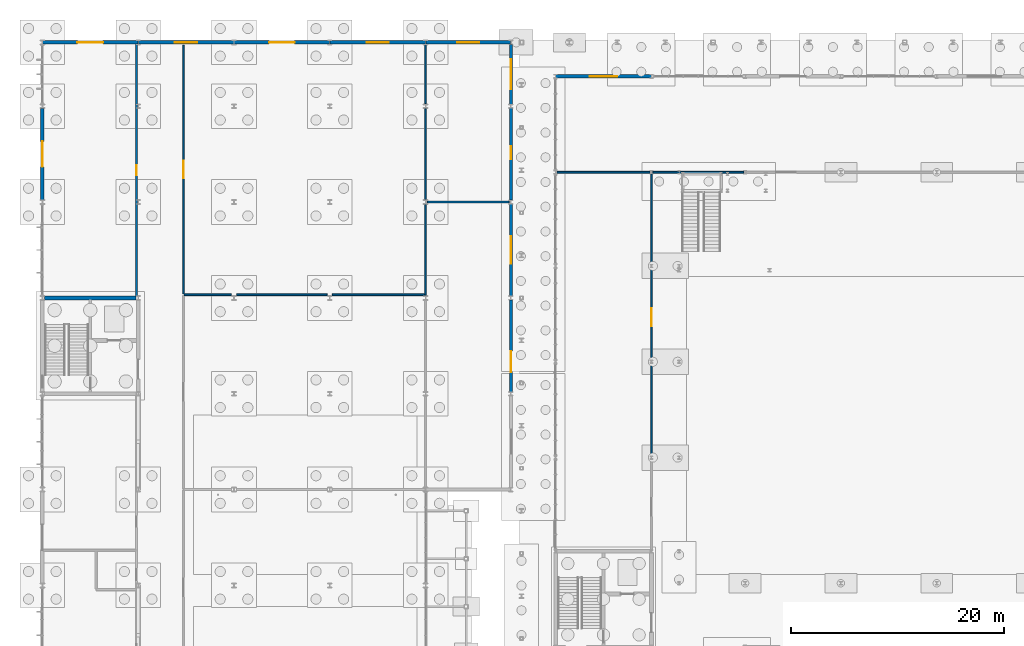
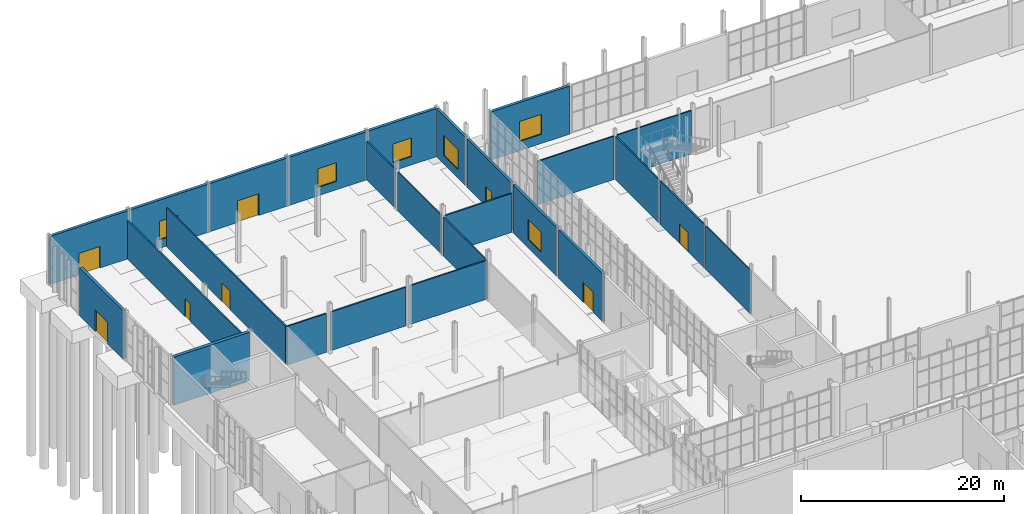
# One storey, part 102 of 131: 26 walls, 8 doors, 6 windows, 14 openings.
"""IFC4 building model written with IfcOpenShell, lengths in metres."""

from ifc_helpers import new_model, si_unit, direction, frame, frame_2d, origin, place, context, subcontext, project, spatial, rectangle, extrude, material, layer, layer_set, type_object, element, fill, save


model = new_model("IFC4")

# Units and contexts
model_context = context("Model", 3, precision=1e-05, world=origin(), true_north=direction((0.0, 1.0)))
body_context = subcontext(model_context, "Body", "Model", "MODEL_VIEW")
ifc_project = project(units=[si_unit("LENGTHUNIT", "METRE"), si_unit("AREAUNIT", "SQUARE_METRE"), si_unit("VOLUMEUNIT", "CUBIC_METRE"), si_unit("PLANEANGLEUNIT", "RADIAN"), si_unit("MASSUNIT", "GRAM", prefix="KILO")], contexts=[model_context])

# Site, building, storey
site_placement = place(None, origin())
site = spatial("IfcSite", under=ifc_project, at=site_placement, CompositionType="ELEMENT")
building_placement = place(site_placement, origin())
building = spatial("IfcBuilding", under=site, at=building_placement, Name="Cazmaro Siding Exhibition Halls", CompositionType="ELEMENT")
storey_placement = place(building_placement, origin())
storey = spatial("IfcBuildingStorey", under=building, at=storey_placement, Name="L00", CompositionType="ELEMENT", Elevation=0.0)

# Wall, opening, window
ifc_material_1 = material(Name="Concrete f'c 45 MPa", Category="concrete")
ifc_layer_1 = layer(ifc_material_1, 0.320068359375)
ifc_layer_set_1 = layer_set([ifc_layer_1], Name="Concrete f'c 45 MPa")
wall_type_1 = type_object("IfcWallType", Name="EW-01", PredefinedType="STANDARD", material=ifc_layer_set_1)
wall_1_placement = place(storey_placement, frame((48.2119140625, 120.800048828125, 0.0), z_axis=(0.0, 0.0, 1.0), x_axis=(1.0, 0.0, 0.0)))
wall_1 = element("IfcWall", 1, at=wall_1_placement, inside=storey, type_object=wall_type_1, Name="Hall A North Wall EW-01 WL-E0004", PredefinedType="STANDARD", context=body_context, shape_type="SweptSolid", body=[
    extrude(rectangle(XDim=8.97607421875, YDim=0.320068359375, at=frame_2d((4.488037109375, 0.0))), origin(), (0.0, 0.0, 1.0), 5.780029296875),
])
opening_1_placement = place(wall_1_placement, frame((3.212890625, 0.0, 1.10009765625)))
opening_1 = element("IfcOpeningElement", 2, at=opening_1_placement, cuts=wall_1, Name="Opening W-003", PredefinedType="OPENING", context=body_context, shape_type="SweptSolid", body=[
    extrude(rectangle(XDim=2.550048828125, YDim=2.39990234375, at=frame_2d((1.27490234375, 1.199951171875))), frame((0.0, 0.169921875, 0.0), z_axis=(0.0, -1.0, 0.0), x_axis=(1.0, 0.0, 0.0)), (0.0, 0.0, 1.0), 0.340087890625),
])
ifc_material_2 = material(Name="Thermally Broken Aluminum Low-E Window Unit", Category="aluminium")
window_type_1 = type_object("IfcWindowType", Name="WT-08", PartitioningType="SINGLE_PANEL", PredefinedType="WINDOW", material=ifc_material_2)
window_1_placement = place(opening_1_placement, origin())
window_1 = element("IfcWindow", 3, at=window_1_placement, inside=storey, type_object=window_type_1, Name="Window W-003 (WT-08)", OverallHeight=2.39990234375, OverallWidth=2.550048828125, PartitioningType="SINGLE_PANEL", PredefinedType="WINDOW", context=body_context, shape_type="SweptSolid", body=[
    extrude(rectangle(XDim=2.550048828125, YDim=2.39990234375, at=frame_2d((1.27490234375, 1.199951171875))), frame((0.0, 0.030029296875, 0.0), z_axis=(0.0, -1.0, 0.0), x_axis=(1.0, 0.0, 0.0)), (0.0, 0.0, 1.0), 0.06005859375),
])
fill(opening_1, window_1)

# Wall, opening, door
wall_2_placement = place(storey_placement, frame((0.0, 109.201904296875, 0.0), z_axis=(0.0, 0.0, 1.0), x_axis=(0.0, 1.0, 0.0)))
wall_2 = element("IfcWall", 4, at=wall_2_placement, inside=storey, type_object=wall_type_1, Name="West Wing Street Pier Wall L00 EW-01 WL-E0247", PredefinedType="STANDARD", context=body_context, shape_type="SweptSolid", body=[
    extrude(rectangle(XDim=8.59619140625, YDim=0.320068359375, at=frame_2d((4.298095703125, 0.0))), origin(), (0.0, 0.0, 1.0), 5.780029296875),
])
opening_2_placement = place(wall_2_placement, frame((3.097900390625, 0.0, 0.0)))
opening_2 = element("IfcOpeningElement", 5, at=opening_2_placement, cuts=wall_2, Name="Opening D-E065", PredefinedType="OPENING", context=body_context, shape_type="SweptSolid", body=[
    extrude(rectangle(XDim=2.39990234375, YDim=2.60009765625, at=frame_2d((1.199951171875, 1.300048828125))), frame((0.0, 0.169921875, 0.0), z_axis=(0.0, -1.0, 0.0), x_axis=(1.0, 0.0, 0.0)), (0.0, 0.0, 1.0), 0.340087890625),
])
ifc_material_3 = material(Name="Anodized Bronze Glazed Entrance Door", Category="aluminium")
door_type_1 = type_object("IfcDoorType", Name="ED-02", OperationType="DOUBLE_DOOR_SINGLE_SWING", PredefinedType="DOOR", material=ifc_material_3)
door_1_placement = place(opening_2_placement, origin())
door_1 = element("IfcDoor", 6, at=door_1_placement, inside=storey, type_object=door_type_1, Name="Exterior door D-E065 (ED-02)", OperationType="DOUBLE_DOOR_SINGLE_SWING", OverallHeight=2.60009765625, OverallWidth=2.39990234375, PredefinedType="DOOR", context=body_context, shape_type="SweptSolid", body=[
    extrude(rectangle(XDim=2.39990234375, YDim=2.60009765625, at=frame_2d((1.199951171875, 1.300048828125))), frame((0.0, 0.02490234375, 0.0), z_axis=(0.0, -1.0, 0.0), x_axis=(1.0, 0.0, 0.0)), (0.0, 0.0, 1.0), 0.050048828125),
])
fill(opening_2, door_1)

wall_3_placement = place(storey_placement, frame((0.02197265625, 124.0, 0.0), z_axis=(0.0, 0.0, 1.0), x_axis=(1.0, 0.0, 0.0)))
wall_3 = element("IfcWall", 7, at=wall_3_placement, inside=storey, type_object=wall_type_1, Name="West Wing North Facade Wall L00 EW-01 WL-E0255", PredefinedType="STANDARD", context=body_context, shape_type="SweptSolid", body=[
    extrude(rectangle(XDim=8.9560546875, YDim=0.320068359375, at=frame_2d((4.47802734375, 0.0))), origin(), (0.0, 0.0, 1.0), 5.780029296875),
])
opening_3_placement = place(wall_3_placement, frame((3.278076171875, 0.0, 0.0)))
opening_3 = element("IfcOpeningElement", 8, at=opening_3_placement, cuts=wall_3, Name="Opening D-E068", PredefinedType="OPENING", context=body_context, shape_type="SweptSolid", body=[
    extrude(rectangle(XDim=2.39990234375, YDim=2.60009765625, at=frame_2d((1.199951171875, 1.300048828125))), frame((0.0, 0.169921875, 0.0), z_axis=(0.0, -1.0, 0.0), x_axis=(1.0, 0.0, 0.0)), (0.0, 0.0, 1.0), 0.340087890625),
])
door_2_placement = place(opening_3_placement, origin())
door_2 = element("IfcDoor", 9, at=door_2_placement, inside=storey, type_object=door_type_1, Name="Exterior door D-E068 (ED-02)", OperationType="DOUBLE_DOOR_SINGLE_SWING", OverallHeight=2.60009765625, OverallWidth=2.39990234375, PredefinedType="DOOR", context=body_context, shape_type="SweptSolid", body=[
    extrude(rectangle(XDim=2.39990234375, YDim=2.60009765625, at=frame_2d((1.199951171875, 1.300048828125))), frame((0.0, 0.02490234375, 0.0), z_axis=(0.0, -1.0, 0.0), x_axis=(1.0, 0.0, 0.0)), (0.0, 0.0, 1.0), 0.050048828125),
])
fill(opening_3, door_2)

# Wall, opening, window
wall_4_placement = place(storey_placement, frame((9.02197265625, 124.0, 0.0), z_axis=(0.0, 0.0, 1.0), x_axis=(1.0, 0.0, 0.0)))
wall_4 = element("IfcWall", 10, at=wall_4_placement, inside=storey, type_object=wall_type_1, Name="West Wing North Facade Wall L00 EW-01 WL-E0256", PredefinedType="STANDARD", context=body_context, shape_type="SweptSolid", body=[
    extrude(rectangle(XDim=8.9560546875, YDim=0.320068359375, at=frame_2d((4.47802734375, 0.0))), origin(), (0.0, 0.0, 1.0), 5.780029296875),
])
opening_4_placement = place(wall_4_placement, frame((3.427978515625, 0.0, 1.0)))
opening_4 = element("IfcOpeningElement", 11, at=opening_4_placement, cuts=wall_4, Name="Opening W-069", PredefinedType="OPENING", context=body_context, shape_type="SweptSolid", body=[
    extrude(rectangle(XDim=2.10009765625, YDim=2.25, at=frame_2d((1.050048828125, 1.125))), frame((0.0, 0.169921875, 0.0), z_axis=(0.0, -1.0, 0.0), x_axis=(1.0, 0.0, 0.0)), (0.0, 0.0, 1.0), 0.340087890625),
])
ifc_material_4 = material(Name="Thermally Broken Aluminum Low-E Window Unit", Category="aluminium")
window_type_2 = type_object("IfcWindowType", Name="WT-05", PartitioningType="SINGLE_PANEL", PredefinedType="WINDOW", material=ifc_material_4)
window_2_placement = place(opening_4_placement, origin())
window_2 = element("IfcWindow", 12, at=window_2_placement, inside=storey, type_object=window_type_2, Name="Window W-069 (WT-05)", OverallHeight=2.25, OverallWidth=2.10009765625, PartitioningType="SINGLE_PANEL", PredefinedType="WINDOW", context=body_context, shape_type="SweptSolid", body=[
    extrude(rectangle(XDim=2.10009765625, YDim=2.25, at=frame_2d((1.050048828125, 1.125))), frame((0.0, 0.030029296875, 0.0), z_axis=(0.0, -1.0, 0.0), x_axis=(1.0, 0.0, 0.0)), (0.0, 0.0, 1.0), 0.06005859375),
])
fill(opening_4, window_2)

# Wall, opening, door
wall_5_placement = place(storey_placement, frame((18.02197265625, 124.0, 0.0), z_axis=(0.0, 0.0, 1.0), x_axis=(1.0, 0.0, 0.0)))
wall_5 = element("IfcWall", 13, at=wall_5_placement, inside=storey, type_object=wall_type_1, Name="West Wing North Facade Wall L00 EW-01 WL-E0257", PredefinedType="STANDARD", context=body_context, shape_type="SweptSolid", body=[
    extrude(rectangle(XDim=8.9560546875, YDim=0.320068359375, at=frame_2d((4.47802734375, 0.0))), origin(), (0.0, 0.0, 1.0), 5.780029296875),
])
opening_5_placement = place(wall_5_placement, frame((3.278076171875, 0.0, 0.0)))
opening_5 = element("IfcOpeningElement", 14, at=opening_5_placement, cuts=wall_5, Name="Opening D-E069", PredefinedType="OPENING", context=body_context, shape_type="SweptSolid", body=[
    extrude(rectangle(XDim=2.39990234375, YDim=2.60009765625, at=frame_2d((1.199951171875, 1.300048828125))), frame((0.0, 0.169921875, 0.0), z_axis=(0.0, -1.0, 0.0), x_axis=(1.0, 0.0, 0.0)), (0.0, 0.0, 1.0), 0.340087890625),
])
door_3_placement = place(opening_5_placement, origin())
door_3 = element("IfcDoor", 15, at=door_3_placement, inside=storey, type_object=door_type_1, Name="Exterior door D-E069 (ED-02)", OperationType="DOUBLE_DOOR_SINGLE_SWING", OverallHeight=2.60009765625, OverallWidth=2.39990234375, PredefinedType="DOOR", context=body_context, shape_type="SweptSolid", body=[
    extrude(rectangle(XDim=2.39990234375, YDim=2.60009765625, at=frame_2d((1.199951171875, 1.300048828125))), frame((0.0, 0.02490234375, 0.0), z_axis=(0.0, -1.0, 0.0), x_axis=(1.0, 0.0, 0.0)), (0.0, 0.0, 1.0), 0.050048828125),
])
fill(opening_5, door_3)

# Wall, opening, window
wall_6_placement = place(storey_placement, frame((27.02197265625, 124.0, 0.0), z_axis=(0.0, 0.0, 1.0), x_axis=(1.0, 0.0, 0.0)))
wall_6 = element("IfcWall", 16, at=wall_6_placement, inside=storey, type_object=wall_type_1, Name="West Wing North Facade Wall L00 EW-01 WL-E0258", PredefinedType="STANDARD", context=body_context, shape_type="SweptSolid", body=[
    extrude(rectangle(XDim=8.9560546875, YDim=0.320068359375, at=frame_2d((4.47802734375, 0.0))), origin(), (0.0, 0.0, 1.0), 5.780029296875),
])
opening_6_placement = place(wall_6_placement, frame((3.427978515625, 0.0, 1.0)))
opening_6 = element("IfcOpeningElement", 17, at=opening_6_placement, cuts=wall_6, Name="Opening W-070", PredefinedType="OPENING", context=body_context, shape_type="SweptSolid", body=[
    extrude(rectangle(XDim=2.10009765625, YDim=2.25, at=frame_2d((1.050048828125, 1.125))), frame((0.0, 0.169921875, 0.0), z_axis=(0.0, -1.0, 0.0), x_axis=(1.0, 0.0, 0.0)), (0.0, 0.0, 1.0), 0.340087890625),
])
window_3_placement = place(opening_6_placement, origin())
window_3 = element("IfcWindow", 18, at=window_3_placement, inside=storey, type_object=window_type_2, Name="Window W-070 (WT-05)", OverallHeight=2.25, OverallWidth=2.10009765625, PartitioningType="SINGLE_PANEL", PredefinedType="WINDOW", context=body_context, shape_type="SweptSolid", body=[
    extrude(rectangle(XDim=2.10009765625, YDim=2.25, at=frame_2d((1.050048828125, 1.125))), frame((0.0, 0.030029296875, 0.0), z_axis=(0.0, -1.0, 0.0), x_axis=(1.0, 0.0, 0.0)), (0.0, 0.0, 1.0), 0.06005859375),
])
fill(opening_6, window_3)

wall_7_placement = place(storey_placement, frame((36.02197265625, 124.0, 0.0), z_axis=(0.0, 0.0, 1.0), x_axis=(1.0, 0.0, 0.0)))
wall_7 = element("IfcWall", 19, at=wall_7_placement, inside=storey, type_object=wall_type_1, Name="West Wing North Facade Wall L00 EW-01 WL-E0259", PredefinedType="STANDARD", context=body_context, shape_type="SweptSolid", body=[
    extrude(rectangle(XDim=7.963134765625, YDim=0.320068359375, at=frame_2d((3.9814453125, 0.0))), origin(), (0.0, 0.0, 1.0), 5.780029296875),
])
opening_7_placement = place(wall_7_placement, frame((2.930908203125, 0.0, 1.0)))
opening_7 = element("IfcOpeningElement", 20, at=opening_7_placement, cuts=wall_7, Name="Opening W-071", PredefinedType="OPENING", context=body_context, shape_type="SweptSolid", body=[
    extrude(rectangle(XDim=2.10009765625, YDim=2.25, at=frame_2d((1.050048828125, 1.125))), frame((0.0, 0.169921875, 0.0), z_axis=(0.0, -1.0, 0.0), x_axis=(1.0, 0.0, 0.0)), (0.0, 0.0, 1.0), 0.340087890625),
])
window_4_placement = place(opening_7_placement, origin())
window_4 = element("IfcWindow", 21, at=window_4_placement, inside=storey, type_object=window_type_2, Name="Window W-071 (WT-05)", OverallHeight=2.25, OverallWidth=2.10009765625, PartitioningType="SINGLE_PANEL", PredefinedType="WINDOW", context=body_context, shape_type="SweptSolid", body=[
    extrude(rectangle(XDim=2.10009765625, YDim=2.25, at=frame_2d((1.050048828125, 1.125))), frame((0.0, 0.030029296875, 0.0), z_axis=(0.0, -1.0, 0.0), x_axis=(1.0, 0.0, 0.0)), (0.0, 0.0, 1.0), 0.06005859375),
])
fill(opening_7, window_4)

# Wall, opening, door
ifc_material_5 = material(Name="Precast concrete f'c 40 MPa", Category="concrete")
ifc_layer_2 = layer(ifc_material_5, 0.280029296875)
ifc_layer_set_2 = layer_set([ifc_layer_2], Name="Precast concrete f'c 40 MPa")
wall_type_2 = type_object("IfcWallType", Name="EW-02", PredefinedType="STANDARD", material=ifc_layer_set_2)
wall_8_placement = place(storey_placement, frame((44.0, 99.818115234375, 0.0), z_axis=(0.0, 0.0, 1.0), x_axis=(0.0, -1.0, 0.0)))
wall_8 = element("IfcWall", 22, at=wall_8_placement, inside=storey, type_object=wall_type_2, Name="NW Wing East Wall L00 EW-02 WL-E0245", PredefinedType="STANDARD", context=body_context, shape_type="SweptSolid", body=[
    extrude(rectangle(XDim=8.63623046875, YDim=0.280029296875, at=frame_2d((4.318115234375, 0.0))), origin(), (0.0, 0.0, 1.0), 5.780029296875),
])
opening_8_placement = place(wall_8_placement, frame((4.818115234375, 0.0, 0.0)))
opening_8 = element("IfcOpeningElement", 23, at=opening_8_placement, cuts=wall_8, Name="Opening D-E064", PredefinedType="OPENING", context=body_context, shape_type="SweptSolid", body=[
    extrude(rectangle(XDim=2.0, YDim=2.39990234375, at=frame_2d((1.0, 1.199951171875))), frame((0.0, 0.14990234375, 0.0), z_axis=(0.0, -1.0, 0.0), x_axis=(1.0, 0.0, 0.0)), (0.0, 0.0, 1.0), 0.300048828125),
])
ifc_material_6 = material(Name="Anodized Bronze Glazed Entrance Door", Category="aluminium")
door_type_2 = type_object("IfcDoorType", Name="ED-01", OperationType="DOUBLE_DOOR_SINGLE_SWING", PredefinedType="DOOR", material=ifc_material_6)
door_4_placement = place(opening_8_placement, origin())
door_4 = element("IfcDoor", 24, at=door_4_placement, inside=storey, type_object=door_type_2, Name="Exterior door D-E064 (ED-01)", OperationType="DOUBLE_DOOR_SINGLE_SWING", OverallHeight=2.39990234375, OverallWidth=2.0, PredefinedType="DOOR", context=body_context, shape_type="SweptSolid", body=[
    extrude(rectangle(XDim=2.0, YDim=2.39990234375, at=frame_2d((1.0, 1.199951171875))), frame((0.0, 0.02490234375, 0.0), z_axis=(0.0, -1.0, 0.0), x_axis=(1.0, 0.0, 0.0)), (0.0, 0.0, 1.0), 0.050048828125),
])
fill(opening_8, door_4)

# Wall, opening, window
wall_9_placement = place(storey_placement, frame((44.0, 108.818115234375, 0.0), z_axis=(0.0, 0.0, 1.0), x_axis=(0.0, -1.0, 0.0)))
wall_9 = element("IfcWall", 25, at=wall_9_placement, inside=storey, type_object=wall_type_2, Name="NW Wing East Wall L00 EW-02 WL-E0246", PredefinedType="STANDARD", context=body_context, shape_type="SweptSolid", body=[
    extrude(rectangle(XDim=8.63623046875, YDim=0.280029296875, at=frame_2d((4.318115234375, 0.0))), origin(), (0.0, 0.0, 1.0), 5.780029296875),
])
opening_9_placement = place(wall_9_placement, frame((3.04296875, 0.0, 1.0)))
opening_9 = element("IfcOpeningElement", 26, at=opening_9_placement, cuts=wall_9, Name="Opening W-067", PredefinedType="OPENING", context=body_context, shape_type="SweptSolid", body=[
    extrude(rectangle(XDim=2.550048828125, YDim=2.39990234375, at=frame_2d((1.27490234375, 1.199951171875))), frame((0.0, 0.14990234375, 0.0), z_axis=(0.0, -1.0, 0.0), x_axis=(1.0, 0.0, 0.0)), (0.0, 0.0, 1.0), 0.300048828125),
])
window_5_placement = place(opening_9_placement, origin())
window_5 = element("IfcWindow", 27, at=window_5_placement, inside=storey, type_object=window_type_1, Name="Window W-067 (WT-08)", OverallHeight=2.39990234375, OverallWidth=2.550048828125, PartitioningType="SINGLE_PANEL", PredefinedType="WINDOW", context=body_context, shape_type="SweptSolid", body=[
    extrude(rectangle(XDim=2.550048828125, YDim=2.39990234375, at=frame_2d((1.27490234375, 1.199951171875))), frame((0.0, 0.030029296875, 0.0), z_axis=(0.0, -1.0, 0.0), x_axis=(1.0, 0.0, 0.0)), (0.0, 0.0, 1.0), 0.06005859375),
])
fill(opening_9, window_5)

# Wall, opening, door
wall_10_placement = place(storey_placement, frame((44.0, 117.818115234375, 0.0), z_axis=(0.0, 0.0, 1.0), x_axis=(0.0, -1.0, 0.0)))
wall_10 = element("IfcWall", 28, at=wall_10_placement, inside=storey, type_object=wall_type_2, Name="NW Wing East Wall L00 EW-02 WL-E0248", PredefinedType="STANDARD", context=body_context, shape_type="SweptSolid", body=[
    extrude(rectangle(XDim=8.63623046875, YDim=0.280029296875, at=frame_2d((4.318115234375, 0.0))), origin(), (0.0, 0.0, 1.0), 5.780029296875),
])
opening_10_placement = place(wall_10_placement, frame((3.597900390625, 0.0, 0.0)))
opening_10 = element("IfcOpeningElement", 29, at=opening_10_placement, cuts=wall_10, Name="Opening D-E066", PredefinedType="OPENING", context=body_context, shape_type="SweptSolid", body=[
    extrude(rectangle(XDim=1.219970703125, YDim=2.320068359375, at=frame_2d((0.60986328125, 1.16015625))), frame((0.0, 0.14990234375, 0.0), z_axis=(0.0, -1.0, 0.0), x_axis=(1.0, 0.0, 0.0)), (0.0, 0.0, 1.0), 0.300048828125),
])
ifc_material_7 = material(Name="Anodized Bronze Glazed Entrance Door", Category="aluminium")
door_type_3 = type_object("IfcDoorType", Name="ED-05", OperationType="NOTDEFINED", PredefinedType="DOOR", material=ifc_material_7)
door_5_placement = place(opening_10_placement, origin())
door_5 = element("IfcDoor", 30, at=door_5_placement, inside=storey, type_object=door_type_3, Name="Exterior door D-E066 (ED-05)", OperationType="NOTDEFINED", OverallHeight=2.320068359375, OverallWidth=1.219970703125, PredefinedType="DOOR", context=body_context, shape_type="SweptSolid", body=[
    extrude(rectangle(XDim=1.219970703125, YDim=2.320068359375, at=frame_2d((0.60986328125, 1.16015625))), frame((0.0, 0.02490234375, 0.0), z_axis=(0.0, -1.0, 0.0), x_axis=(1.0, 0.0, 0.0)), (0.0, 0.0, 1.0), 0.050048828125),
])
fill(opening_10, door_5)

# Wall, opening, window
wall_11_placement = place(storey_placement, frame((44.0, 123.818115234375, 0.0), z_axis=(0.0, 0.0, 1.0), x_axis=(0.0, -1.0, 0.0)))
wall_11 = element("IfcWall", 31, at=wall_11_placement, inside=storey, type_object=wall_type_2, Name="NW Wing East Wall L00 EW-02 WL-E0249", PredefinedType="STANDARD", context=body_context, shape_type="SweptSolid", body=[
    extrude(rectangle(XDim=5.63623046875, YDim=0.280029296875, at=frame_2d((2.818115234375, 0.0))), origin(), (0.0, 0.0, 1.0), 5.780029296875),
])
opening_11_placement = place(wall_11_placement, frame((1.39306640625, 0.0, 1.0)))
opening_11 = element("IfcOpeningElement", 32, at=opening_11_placement, cuts=wall_11, Name="Opening W-068", PredefinedType="OPENING", context=body_context, shape_type="SweptSolid", body=[
    extrude(rectangle(XDim=2.85009765625, YDim=2.39990234375, at=frame_2d((1.425048828125, 1.199951171875))), frame((0.0, 0.14990234375, 0.0), z_axis=(0.0, -1.0, 0.0), x_axis=(1.0, 0.0, 0.0)), (0.0, 0.0, 1.0), 0.300048828125),
])
ifc_material_8 = material(Name="Thermally Broken Aluminum Low-E Window Unit", Category="aluminium")
window_type_3 = type_object("IfcWindowType", Name="WT-10", PartitioningType="SINGLE_PANEL", PredefinedType="WINDOW", material=ifc_material_8)
window_6_placement = place(opening_11_placement, origin())
window_6 = element("IfcWindow", 33, at=window_6_placement, inside=storey, type_object=window_type_3, Name="Window W-068 (WT-10)", OverallHeight=2.39990234375, OverallWidth=2.85009765625, PartitioningType="SINGLE_PANEL", PredefinedType="WINDOW", context=body_context, shape_type="SweptSolid", body=[
    extrude(rectangle(XDim=2.85009765625, YDim=2.39990234375, at=frame_2d((1.425048828125, 1.199951171875))), frame((0.0, 0.030029296875, 0.0), z_axis=(0.0, -1.0, 0.0), x_axis=(1.0, 0.0, 0.0)), (0.0, 0.0, 1.0), 0.06005859375),
])
fill(opening_11, window_6)

# Walls
ifc_material_9 = material(Name="Fire-Rated Gypsum Board on Cold-Formed Steel Studs", Category="steel")
ifc_layer_3 = layer(ifc_material_9, 0.14501953125)
ifc_layer_set_3 = layer_set([ifc_layer_3], Name="Fire-Rated Gypsum Board on Cold-Formed Steel Studs")
wall_type_3 = type_object("IfcWallType", Name="PW-01", PredefinedType="PARTITIONING", material=ifc_layer_set_3)
wall_12_placement = place(storey_placement, frame((48.346923828125, 111.800048828125, 0.0), z_axis=(0.0, 0.0, 1.0), x_axis=(1.0, 0.0, 0.0)))
element("IfcWall", 34, at=wall_12_placement, inside=storey, type_object=wall_type_3, Name="Hall A North Service Partition PW-01 WL-I0123", PredefinedType="PARTITIONING", context=body_context, shape_type="SweptSolid", body=[
    extrude(rectangle(XDim=8.7060546875, YDim=0.14501953125, at=frame_2d((4.35302734375, 0.0))), origin(), (0.0, 0.0, 1.0), 5.199951171875),
])
wall_13_placement = place(storey_placement, frame((57.346923828125, 111.800048828125, 0.0), z_axis=(0.0, 0.0, 1.0), x_axis=(1.0, 0.0, 0.0)))
element("IfcWall", 35, at=wall_13_placement, inside=storey, type_object=wall_type_3, Name="Hall A North Service Partition PW-01 WL-I0124", PredefinedType="PARTITIONING", context=body_context, shape_type="SweptSolid", body=[
    extrude(rectangle(XDim=8.506103515625, YDim=0.14501953125, at=frame_2d((4.2529296875, 0.0))), origin(), (0.0, 0.0, 1.0), 5.199951171875),
])
wall_14_placement = place(storey_placement, frame((57.199951171875, 85.126953125, 0.0), z_axis=(0.0, 0.0, 1.0), x_axis=(0.0, 1.0, 0.0)))
element("IfcWall", 36, at=wall_14_placement, inside=storey, type_object=wall_type_3, Name="Hall A West Concierge Partition PW-01 WL-I0141", PredefinedType="PARTITIONING", context=body_context, shape_type="SweptSolid", body=[
    extrude(rectangle(XDim=8.74609375, YDim=0.14501953125, at=frame_2d((4.373046875, 0.0))), origin(), (0.0, 0.0, 1.0), 5.199951171875),
])

# Wall, opening, door
wall_15_placement = place(storey_placement, frame((57.199951171875, 94.126953125, 0.0), z_axis=(0.0, 0.0, 1.0), x_axis=(0.0, 1.0, 0.0)))
wall_15 = element("IfcWall", 37, at=wall_15_placement, inside=storey, type_object=wall_type_3, Name="Hall A West Concierge Partition PW-01 WL-I0143", PredefinedType="PARTITIONING", context=body_context, shape_type="SweptSolid", body=[
    extrude(rectangle(XDim=8.74609375, YDim=0.14501953125, at=frame_2d((4.373046875, 0.0))), origin(), (0.0, 0.0, 1.0), 5.199951171875),
])
opening_12_placement = place(wall_15_placement, frame((3.199951171875, 0.0, 0.0)))
opening_12 = element("IfcOpeningElement", 38, at=opening_12_placement, cuts=wall_15, Name="Opening D-I066", PredefinedType="OPENING", context=body_context, shape_type="SweptSolid", body=[
    extrude(rectangle(XDim=1.719970703125, YDim=2.280029296875, at=frame_2d((0.85986328125, 1.14013671875))), frame((0.0, 0.08251953125, 0.0), z_axis=(0.0, -1.0, 0.0), x_axis=(1.0, 0.0, 0.0)), (0.0, 0.0, 1.0), 0.1650390625),
])
ifc_material_10 = material(Name="Fire-Rated Painted Hollow Metal Door", Category="steel")
door_type_4 = type_object("IfcDoorType", Name="ID-10", OperationType="DOUBLE_DOOR_SINGLE_SWING", PredefinedType="DOOR", material=ifc_material_10)
door_6_placement = place(opening_12_placement, origin())
door_6 = element("IfcDoor", 39, at=door_6_placement, inside=storey, type_object=door_type_4, Name="Interior door D-I066 (ID-10)", OperationType="DOUBLE_DOOR_SINGLE_SWING", OverallHeight=2.280029296875, OverallWidth=1.719970703125, PredefinedType="DOOR", context=body_context, shape_type="SweptSolid", body=[
    extrude(rectangle(XDim=1.719970703125, YDim=2.280029296875, at=frame_2d((0.85986328125, 1.14013671875))), frame((0.0, 0.02490234375, 0.0), z_axis=(0.0, -1.0, 0.0), x_axis=(1.0, 0.0, 0.0)), (0.0, 0.0, 1.0), 0.050048828125),
])
fill(opening_12, door_6)

# Wall
wall_16_placement = place(storey_placement, frame((57.199951171875, 103.126953125, 0.0), z_axis=(0.0, 0.0, 1.0), x_axis=(0.0, 1.0, 0.0)))
element("IfcWall", 40, at=wall_16_placement, inside=storey, type_object=wall_type_3, Name="Hall A West Concierge Partition PW-01 WL-I0145", PredefinedType="PARTITIONING", context=body_context, shape_type="SweptSolid", body=[
    extrude(rectangle(XDim=8.525146484375, YDim=0.14501953125, at=frame_2d((4.2626953125, 0.0))), origin(), (0.0, 0.0, 1.0), 5.199951171875),
])

# Wall, opening, door
wall_17_placement = place(storey_placement, frame((13.25, 100.3798828125, 0.0), z_axis=(0.0, 0.0, 1.0), x_axis=(0.0, 1.0, 0.0)))
wall_17 = element("IfcWall", 41, at=wall_17_placement, inside=storey, type_object=wall_type_3, Name="West Wing East Corridor Wall L00 PW-01 WL-I0190", PredefinedType="PARTITIONING", context=body_context, shape_type="SweptSolid", body=[
    extrude(rectangle(XDim=23.3701171875, YDim=0.14501953125, at=frame_2d((11.68505859375, 0.0))), origin(), (0.0, 0.0, 1.0), 4.64990234375),
])
opening_13_placement = place(wall_17_placement, frame((10.860107421875, 0.0, 0.0)))
opening_13 = element("IfcOpeningElement", 42, at=opening_13_placement, cuts=wall_17, Name="Opening D-I098", PredefinedType="OPENING", context=body_context, shape_type="SweptSolid", body=[
    extrude(rectangle(XDim=1.64990234375, YDim=2.25, at=frame_2d((0.824951171875, 1.125))), frame((0.0, 0.08251953125, 0.0), z_axis=(0.0, -1.0, 0.0), x_axis=(1.0, 0.0, 0.0)), (0.0, 0.0, 1.0), 0.1650390625),
])
ifc_material_11 = material(Name="Fire-Rated Painted Hollow Metal Door", Category="steel")
door_type_5 = type_object("IfcDoorType", Name="ID-05", OperationType="DOUBLE_DOOR_SINGLE_SWING", PredefinedType="DOOR", material=ifc_material_11)
door_7_placement = place(opening_13_placement, origin())
door_7 = element("IfcDoor", 43, at=door_7_placement, inside=storey, type_object=door_type_5, Name="Interior door D-I098 (ID-05)", OperationType="DOUBLE_DOOR_SINGLE_SWING", OverallHeight=2.25, OverallWidth=1.64990234375, PredefinedType="DOOR", context=body_context, shape_type="SweptSolid", body=[
    extrude(rectangle(XDim=1.64990234375, YDim=2.25, at=frame_2d((0.824951171875, 1.125))), frame((0.0, 0.02490234375, 0.0), z_axis=(0.0, -1.0, 0.0), x_axis=(1.0, 0.0, 0.0)), (0.0, 0.0, 1.0), 0.050048828125),
])
fill(opening_13, door_7)

# Walls
for number, where, z_axis, x_axis, name in (
    (44, (36.0, 100.25, 0.0), (0.0, 0.0, 1.0), (0.0, 1.0, 0.0), "NW Wing Suite Wall L00 PW-01 WL-I0207"),
    (45, (36.0, 109.25, 0.0), (0.0, 0.0, 1.0), (0.0, 1.0, 0.0), "NW Wing Suite Wall L00 PW-01 WL-I0208"),
):
    element("IfcWall", number, at=place(storey_placement, frame(where, z_axis=z_axis, x_axis=x_axis)), inside=storey, type_object=wall_type_3, Name=name, PredefinedType="PARTITIONING", context=body_context, shape_type="SweptSolid", body=[
        extrude(rectangle(XDim=8.5, YDim=0.14501953125, at=frame_2d((4.25, 0.0))), origin(), (0.0, 0.0, 1.0), 4.64990234375),
    ])
wall_18_placement = place(storey_placement, frame((36.0, 118.25, 0.0), z_axis=(0.0, 0.0, 1.0), x_axis=(0.0, 1.0, 0.0)))
element("IfcWall", 46, at=wall_18_placement, inside=storey, type_object=wall_type_3, Name="NW Wing Suite Wall L00 PW-01 WL-I0209", PredefinedType="PARTITIONING", context=body_context, shape_type="SweptSolid", body=[
    extrude(rectangle(XDim=5.550048828125, YDim=0.14501953125, at=frame_2d((2.77490234375, 0.0))), origin(), (0.0, 0.0, 1.0), 4.64990234375),
])
ifc_material_12 = material(Name="Moisture-Resistant Gypsum Board on Acoustic Steel Studs", Category="steel")
ifc_layer_4 = layer(ifc_material_12, 0.1650390625)
ifc_layer_set_4 = layer_set([ifc_layer_4], Name="Moisture-Resistant Gypsum Board on Acoustic Steel Studs")
wall_type_4 = type_object("IfcWallType", Name="PW-02", PredefinedType="PARTITIONING", material=ifc_layer_set_4)
wall_19_placement = place(storey_placement, frame((13.320068359375, 100.300048828125, 0.0), z_axis=(0.0, 0.0, 1.0), x_axis=(1.0, 0.0, 0.0)))
element("IfcWall", 47, at=wall_19_placement, inside=storey, type_object=wall_type_4, Name="West Wing East Room Divider L00 PW-02 WL-I0197", PredefinedType="PARTITIONING", context=body_context, shape_type="SweptSolid", body=[
    extrude(rectangle(XDim=4.429931640625, YDim=0.1650390625, at=frame_2d((2.21484375, 0.0))), origin(), (0.0, 0.0, 1.0), 4.64990234375),
])
wall_20_placement = place(storey_placement, frame((18.25, 100.300048828125, 0.0), z_axis=(0.0, 0.0, 1.0), x_axis=(1.0, 0.0, 0.0)))
element("IfcWall", 48, at=wall_20_placement, inside=storey, type_object=wall_type_4, Name="West Wing East Room Divider L00 PW-02 WL-I0198", PredefinedType="PARTITIONING", context=body_context, shape_type="SweptSolid", body=[
    extrude(rectangle(XDim=8.5, YDim=0.1650390625, at=frame_2d((4.25, 0.0))), origin(), (0.0, 0.0, 1.0), 4.64990234375),
])
wall_21_placement = place(storey_placement, frame((27.25, 100.300048828125, 0.0), z_axis=(0.0, 0.0, 1.0), x_axis=(1.0, 0.0, 0.0)))
element("IfcWall", 49, at=wall_21_placement, inside=storey, type_object=wall_type_4, Name="West Wing East Room Divider L00 PW-02 WL-I0199", PredefinedType="PARTITIONING", context=body_context, shape_type="SweptSolid", body=[
    extrude(rectangle(XDim=8.68994140625, YDim=0.1650390625, at=frame_2d((4.344970703125, 0.0))), origin(), (0.0, 0.0, 1.0), 4.64990234375),
])

# Wall, opening, door
wall_22_placement = place(storey_placement, frame((8.85009765625, 100.179931640625, 0.0), z_axis=(0.0, 0.0, 1.0), x_axis=(0.0, 1.0, 0.0)))
wall_22 = element("IfcWall", 50, at=wall_22_placement, inside=storey, type_object=wall_type_4, Name="West Wing West Service Wall L00 PW-02 WL-I0201", PredefinedType="PARTITIONING", context=body_context, shape_type="SweptSolid", body=[
    extrude(rectangle(XDim=23.650146484375, YDim=0.1650390625, at=frame_2d((11.8251953125, 0.0))), origin(), (0.0, 0.0, 1.0), 4.64990234375),
])
opening_14_placement = place(wall_22_placement, frame((11.324951171875, 0.0, 0.0)))
opening_14 = element("IfcOpeningElement", 51, at=opening_14_placement, cuts=wall_22, Name="Opening D-I102", PredefinedType="OPENING", context=body_context, shape_type="SweptSolid", body=[
    extrude(rectangle(XDim=0.949951171875, YDim=2.1201171875, at=frame_2d((0.47509765625, 1.06005859375))), frame((0.0, 0.092529296875, 0.0), z_axis=(0.0, -1.0, 0.0), x_axis=(1.0, 0.0, 0.0)), (0.0, 0.0, 1.0), 0.18505859375),
])
ifc_material_13 = material(Name="Fire-Rated Painted Hollow Metal Door", Category="steel")
door_type_6 = type_object("IfcDoorType", Name="ID-04", OperationType="NOTDEFINED", PredefinedType="DOOR", material=ifc_material_13)
door_8_placement = place(opening_14_placement, origin())
door_8 = element("IfcDoor", 52, at=door_8_placement, inside=storey, type_object=door_type_6, Name="Interior door D-I102 (ID-04)", OperationType="SINGLE_SWING_RIGHT", OverallHeight=2.1201171875, OverallWidth=0.949951171875, PredefinedType="DOOR", context=body_context, shape_type="SweptSolid", body=[
    extrude(rectangle(XDim=0.949951171875, YDim=2.1201171875, at=frame_2d((0.47509765625, 1.06005859375))), frame((0.0, 0.02490234375, 0.0), z_axis=(0.0, -1.0, 0.0), x_axis=(1.0, 0.0, 0.0)), (0.0, 0.0, 1.0), 0.050048828125),
])
fill(opening_14, door_8)

# Walls
wall_23_placement = place(storey_placement, frame((36.14990234375, 109.0, 0.0), z_axis=(0.0, 0.0, 1.0), x_axis=(1.0, 0.0, 0.0)))
element("IfcWall", 53, at=wall_23_placement, inside=storey, type_object=wall_type_4, Name="Bike-Catering Divider PW-02 WL-I0210", PredefinedType="PARTITIONING", context=body_context, shape_type="SweptSolid", body=[
    extrude(rectangle(XDim=7.7001953125, YDim=0.1650390625, at=frame_2d((3.85009765625, 0.0))), origin(), (0.0, 0.0, 1.0), 4.64990234375),
])
ifc_material_14 = material(Name="Concrete f'c 50 MPa", Category="concrete")
ifc_layer_5 = layer(ifc_material_14, 0.360107421875)
ifc_layer_set_5 = layer_set([ifc_layer_5], Name="Concrete f'c 50 MPa")
wall_type_5 = type_object("IfcWallType", Name="SW-01", PredefinedType="SHEAR", material=ifc_layer_set_5)
wall_24_placement = place(storey_placement, frame((0.197998046875, 100.0, 0.0), z_axis=(0.0, 0.0, 1.0), x_axis=(1.0, 0.0, 0.0)))
element("IfcWall", 54, at=wall_24_placement, inside=storey, type_object=wall_type_5, Name="Core C8 North Shear Wall SW-01 WL-I0101", PredefinedType="SHEAR", context=body_context, shape_type="SweptSolid", body=[
    extrude(rectangle(XDim=8.60400390625, YDim=0.360107421875, at=frame_2d((4.302001953125, 0.0))), origin(), (0.0, 0.0, 1.0), 5.780029296875),
])

save(model, "model.ifc")
